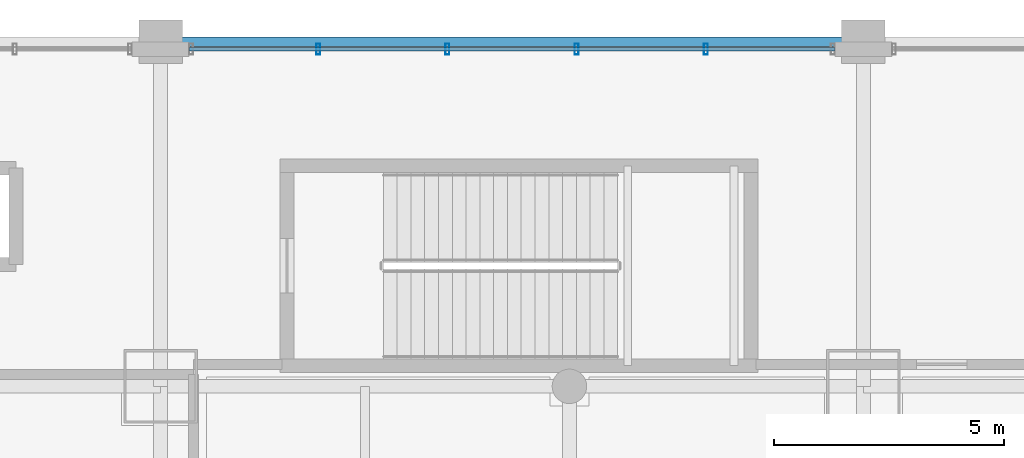
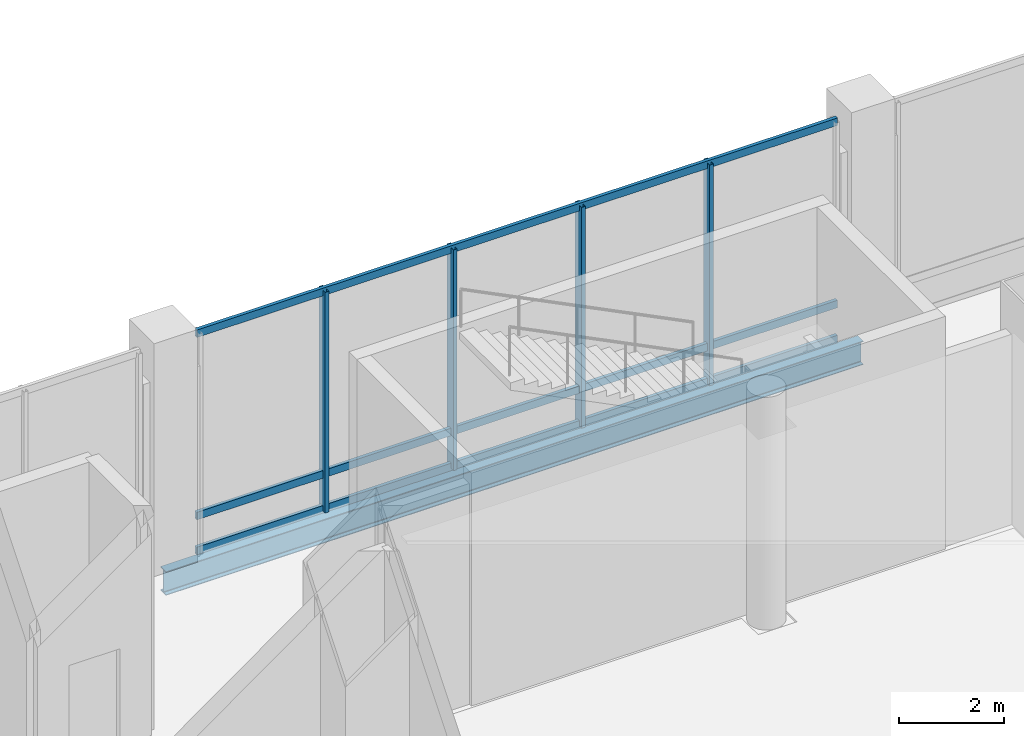
# One storey, part 14 of 39: 7 members, 1 beam, 1 element without a shape of its own.
"""IFC4 building model written with IfcOpenShell, lengths in metres."""

from ifc_helpers import new_model, si_unit, direction, frame, origin, origin_2d, place, context, subcontext, project, spatial, hollow_rectangle, i_section, extrude, material, material_profile, profile_set, type_object, element, aggregate, save


model = new_model("IFC4")

# Units and contexts
model_context = context("Model", 3, precision=1e-05, world=origin(), true_north=direction((0.0, 1.0)))
body_context = subcontext(model_context, "Body", "Model", "MODEL_VIEW")
ifc_project = project(units=[si_unit("LENGTHUNIT", "METRE"), si_unit("AREAUNIT", "SQUARE_METRE"), si_unit("VOLUMEUNIT", "CUBIC_METRE"), si_unit("PLANEANGLEUNIT", "RADIAN"), si_unit("MASSUNIT", "GRAM", prefix="KILO")], contexts=[model_context])

# Site, building, storey
site_placement = place(None, origin())
site = spatial("IfcSite", under=ifc_project, at=site_placement, CompositionType="ELEMENT")
building_placement = place(site_placement, origin())
building = spatial("IfcBuilding", under=site, at=building_placement, Name="Punatoya Terracotta Tower", CompositionType="ELEMENT")
storey_placement = place(building_placement, frame((0.0, 0.0, 11.39990234375)))
storey = spatial("IfcBuildingStorey", under=building, at=storey_placement, Name="L02", CompositionType="ELEMENT", Elevation=11.39990234375)

# Beam
ifc_material_1 = material(Name="Steel S355", Category="steel")
ifc_material_profile_1 = material_profile(ifc_material_1, i_section(OverallWidth=0.2099609375, OverallDepth=0.550048828125, WebThickness=0.010986328125, FlangeThickness=0.01708984375, FilletRadius=0.01806640625, at=origin_2d()))
ifc_profile_set_1 = profile_set([ifc_material_profile_1], Name="Steel S355")
beam_type = type_object("IfcBeamType", Name="BM-SPN-550", PredefinedType="SPANDREL", material=ifc_profile_set_1)
beam_placement = place(storey_placement, frame((-19.10009765625, 25.0, -0.554931640625), z_axis=(1.0, 0.0, 0.0), x_axis=(0.0, 1.0, 0.0)))
element("IfcBeam", 1, at=beam_placement, inside=storey, type_object=beam_type, Name="BM-L02-MIDH-1", PredefinedType="SPANDREL", context=body_context, shape_type="SweptSolid", body=[
    extrude(i_section(OverallWidth=0.2099609375, OverallDepth=0.550048828125, WebThickness=0.010986328125, FlangeThickness=0.01708984375, FilletRadius=0.01806640625, at=origin_2d()), origin(), (0.0, 0.0, 1.0), 15.300048828125),
])

# Curtain wall, members
ifc_material_2 = material(Name="Aluminium 6063-T6 + Double Low-E Glass", Category="aluminium")
curtain_wall_type = type_object("IfcCurtainWallType", Name="CW-POD", PredefinedType="NOTDEFINED", material=ifc_material_2)
curtain_wall_placement = place(storey_placement, origin())
curtain_wall = element("IfcCurtainWall", 2, at=curtain_wall_placement, inside=storey, type_object=curtain_wall_type, Name="L02 Curtain Wall CWP-L02-N3", PredefinedType="NOTDEFINED")
ifc_material_3 = material(Name="Aluminium 6063-T6", Category="aluminium")
ifc_material_profile_2 = material_profile(ifc_material_3, hollow_rectangle(XDim=0.0849609375, YDim=0.239990234375, WallThickness=0.0048828125, at=origin_2d()))
ifc_profile_set_2 = profile_set([ifc_material_profile_2], Name="Aluminium 6063-T6")
member_type_1 = type_object("IfcMemberType", Name="CW-MUL-POD", PredefinedType="MULLION", material=ifc_profile_set_2)
member_1_placement = place(storey_placement, frame((-7.23193359375, 24.840087890625, 0.0), z_axis=(0.0, 0.0, 1.0), x_axis=(1.0, 0.0, 0.0)))
member_1 = element("IfcMember", 3, at=member_1_placement, type_object=member_type_1, Name="CWP-L02-N3 Mullion 01", PredefinedType="MULLION", context=body_context, shape_type="SweptSolid", body=[
    extrude(hollow_rectangle(XDim=0.0849609375, YDim=0.239990234375, WallThickness=0.0048828125, at=origin_2d()), origin(), (0.0, 0.0, 1.0), 5.1201171875),
])
member_2_placement = place(storey_placement, frame((-10.0439453125, 24.840087890625, 0.0), z_axis=(0.0, 0.0, 1.0), x_axis=(1.0, 0.0, 0.0)))
member_2 = element("IfcMember", 4, at=member_2_placement, type_object=member_type_1, Name="CWP-L02-N3 Mullion 02", PredefinedType="MULLION", context=body_context, shape_type="SweptSolid", body=[
    extrude(hollow_rectangle(XDim=0.0849609375, YDim=0.239990234375, WallThickness=0.0048828125, at=origin_2d()), origin(), (0.0, 0.0, 1.0), 5.1201171875),
])
member_3_placement = place(storey_placement, frame((-12.85595703125, 24.840087890625, 0.0), z_axis=(0.0, 0.0, 1.0), x_axis=(1.0, 0.0, 0.0)))
member_3 = element("IfcMember", 5, at=member_3_placement, type_object=member_type_1, Name="CWP-L02-N3 Mullion 03", PredefinedType="MULLION", context=body_context, shape_type="SweptSolid", body=[
    extrude(hollow_rectangle(XDim=0.0849609375, YDim=0.239990234375, WallThickness=0.0048828125, at=origin_2d()), origin(), (0.0, 0.0, 1.0), 5.1201171875),
])
member_4_placement = place(storey_placement, frame((-15.66796875, 24.840087890625, 0.0), z_axis=(0.0, 0.0, 1.0), x_axis=(1.0, 0.0, 0.0)))
member_4 = element("IfcMember", 6, at=member_4_placement, type_object=member_type_1, Name="CWP-L02-N3 Mullion 04", PredefinedType="MULLION", context=body_context, shape_type="SweptSolid", body=[
    extrude(hollow_rectangle(XDim=0.0849609375, YDim=0.239990234375, WallThickness=0.0048828125, at=origin_2d()), origin(), (0.0, 0.0, 1.0), 5.1201171875),
])
ifc_material_profile_3 = material_profile(ifc_material_3, hollow_rectangle(XDim=0.074951171875, YDim=0.175048828125, WallThickness=0.00439453125, at=origin_2d()))
ifc_profile_set_3 = profile_set([ifc_material_profile_3], Name="Aluminium 6063-T6")
member_type_2 = type_object("IfcMemberType", Name="CW-TRN-POD", PredefinedType="USERDEFINED", material=ifc_profile_set_3)
member_5_placement = place(storey_placement, frame((-4.419921875, 24.840087890625, 0.0400390625), z_axis=(-1.0, 0.0, 0.0), x_axis=(0.0, -1.0, 0.0)))
member_5 = element("IfcMember", 7, at=member_5_placement, type_object=member_type_2, Name="CWP-L02-N3 Transom 1", ObjectType="TRANSOM", PredefinedType="USERDEFINED", context=body_context, shape_type="SweptSolid", body=[
    extrude(hollow_rectangle(XDim=0.074951171875, YDim=0.175048828125, WallThickness=0.00439453125, at=origin_2d()), origin(), (0.0, 0.0, 1.0), 14.06005859375),
])
member_6_placement = place(storey_placement, frame((-4.419921875, 24.840087890625, 0.85009765625), z_axis=(-1.0, 0.0, 0.0), x_axis=(0.0, -1.0, 0.0)))
member_6 = element("IfcMember", 8, at=member_6_placement, type_object=member_type_2, Name="CWP-L02-N3 Transom 2", ObjectType="TRANSOM", PredefinedType="USERDEFINED", context=body_context, shape_type="SweptSolid", body=[
    extrude(hollow_rectangle(XDim=0.074951171875, YDim=0.175048828125, WallThickness=0.00439453125, at=origin_2d()), origin(), (0.0, 0.0, 1.0), 14.06005859375),
])
member_7_placement = place(storey_placement, frame((-4.419921875, 24.840087890625, 5.080078125), z_axis=(-1.0, 0.0, 0.0), x_axis=(0.0, -1.0, 0.0)))
member_7 = element("IfcMember", 9, at=member_7_placement, type_object=member_type_2, Name="CWP-L02-N3 Transom 3", ObjectType="TRANSOM", PredefinedType="USERDEFINED", context=body_context, shape_type="SweptSolid", body=[
    extrude(hollow_rectangle(XDim=0.074951171875, YDim=0.175048828125, WallThickness=0.00439453125, at=origin_2d()), origin(), (0.0, 0.0, 1.0), 14.06005859375),
])
aggregate(curtain_wall, [member_1, member_2, member_3, member_4, member_5, member_6, member_7])

save(model, "model.ifc")
